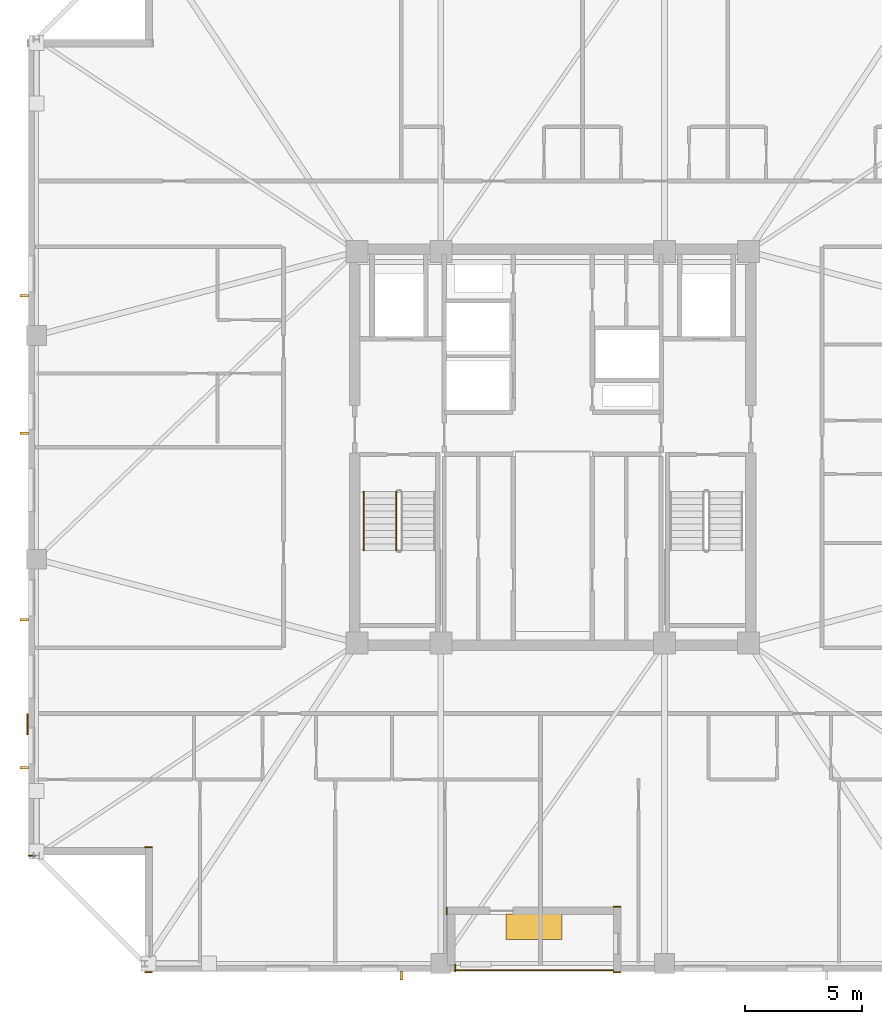
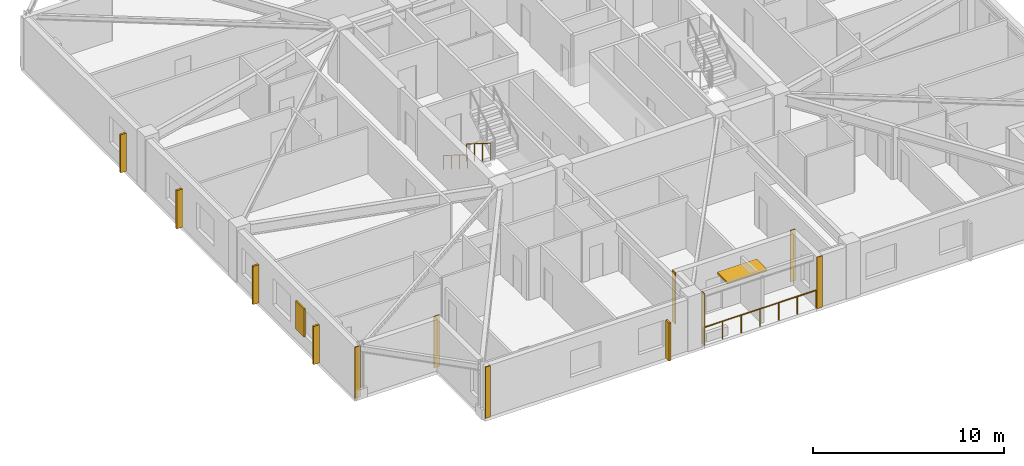
# One storey, part 13 of 17: 7 coverings, 7 shading devices, 3 railings.
"""IFC4 building model written with IfcOpenShell, lengths in metres."""

import ifcopenshell
import ifcopenshell.guid

model = None  # the IFC model being written
_history = None  # IfcOwnerHistory: only IFC2X3 demands one
_inside = {}  # id of a spatial element -> (the spatial element, [elements in it])
_under = {}  # id of a project, library or spatial element -> (it, [spatial elements below it])
_declared = {}  # id of a project -> (the project, [libraries it declares])
_typed = {}  # id of a type object -> (the type object, [elements of that type])
_made_of = {}  # id of a material, layer set ... -> (it, [elements and type objects made of it])


def new_model(schema):
    """Start an empty IFC model of exactly this schema.

    Asked for "IFC4X3", IfcOpenShell would pick the latest addendum, in which some entities
    have other attributes; the version numbers below select the first issue.
    IFC2X3 requires an IfcOwnerHistory on every rooted entity: one is made here for all.
    """
    global model, _history
    if schema == "IFC4X3":
        model = ifcopenshell.file(schema_version=(4, 3, 0, 0))
    else:
        model = ifcopenshell.file(schema=schema)
    _inside.clear()
    _under.clear()
    _declared.clear()
    _typed.clear()
    _made_of.clear()
    _history = None
    if model.schema == "IFC2X3":
        org = make("IfcOrganization", Name="unknown")
        user = make(
            "IfcPersonAndOrganization",
            ThePerson=make("IfcPerson", FamilyName="unknown"),
            TheOrganization=org,
        )
        app = make(
            "IfcApplication",
            ApplicationDeveloper=org,
            Version="unknown",
            ApplicationFullName="unknown",
            ApplicationIdentifier="unknown",
        )
        _history = make(
            "IfcOwnerHistory",
            OwningUser=user,
            OwningApplication=app,
            ChangeAction="ADDED",
            CreationDate=0,
        )
    return model


def make(cls, **values):
    """One entity of the class cls with the attributes given. An attribute that is None is left unset."""
    return model.create_entity(
        cls, **{name: value for name, value in values.items() if value is not None}
    )


def rooted(cls, **values):
    """An entity with a GlobalId (a new one), such as an element, a storey or a relation."""
    return make(cls, GlobalId=ifcopenshell.guid.new(), OwnerHistory=_history, **values)


def si_unit(unit_type, name, prefix=None):
    """IfcSIUnit, for example si_unit("LENGTHUNIT", "METRE", prefix="MILLI")."""
    return make("IfcSIUnit", UnitType=unit_type, Prefix=prefix, Name=name)


def assignment(units):
    """IfcUnitAssignment: the units of a project."""
    return None if units is None else make("IfcUnitAssignment", Units=units)


def point(xyz):
    """IfcCartesianPoint."""
    return None if xyz is None else make("IfcCartesianPoint", Coordinates=xyz)


def direction(xyz):
    """IfcDirection."""
    return None if xyz is None else make("IfcDirection", DirectionRatios=xyz)


def frame(location, z_axis=None, x_axis=None):
    """IfcAxis2Placement3D, a coordinate frame: its origin and axes. An axis left out is left unset."""
    return make(
        "IfcAxis2Placement3D",
        Location=point(location),
        Axis=direction(z_axis),
        RefDirection=direction(x_axis),
    )


def frame_2d(location, x_axis=None):
    """IfcAxis2Placement2D, a coordinate frame in the plane: its origin and x axis."""
    return make(
        "IfcAxis2Placement2D", Location=point(location), RefDirection=direction(x_axis)
    )


def origin():
    """The frame at (0, 0, 0) with its axes left unset."""
    return frame((0.0, 0.0, 0.0))


def origin_2d():
    """The frame at (0, 0) in the plane with its x axis left unset."""
    return frame_2d((0.0, 0.0))


def place(relative_to, where):
    """IfcLocalPlacement: puts the frame where relative to a parent placement (None: the world)."""
    return make(
        "IfcLocalPlacement", PlacementRelTo=relative_to, RelativePlacement=where
    )


def context(
    kind, dimensions, precision=None, world=None, true_north=None, identifier=None
):
    """IfcGeometricRepresentationContext, for example the 3D "Model" context."""
    return make(
        "IfcGeometricRepresentationContext",
        ContextIdentifier=identifier,
        ContextType=kind,
        CoordinateSpaceDimension=dimensions,
        Precision=precision,
        WorldCoordinateSystem=world,
        TrueNorth=true_north,
    )


def subcontext(parent, identifier, kind, view, scale=None):
    """IfcGeometricRepresentationSubContext, for example "Body" below "Model"."""
    return make(
        "IfcGeometricRepresentationSubContext",
        ContextIdentifier=identifier,
        ContextType=kind,
        ParentContext=parent,
        TargetScale=scale,
        TargetView=view,
    )


def project(units=None, contexts=None):
    """IfcProject with its units and contexts."""
    return rooted(
        "IfcProject",
        Name="project",
        RepresentationContexts=contexts,
        UnitsInContext=assignment(units),
    )


def spatial(cls, under=None, at=None, **own):
    """A site, building, storey or space (cls), placed at a placement, below another one or the project."""
    s = rooted(cls, ObjectPlacement=at, **own)
    if under is not None:
        _under.setdefault(under.id(), (under, []))[1].append(s)
    return s


def profile(cls, at=None, kind="AREA", **sizes):
    """A parametric profile (cls). Its sizes go by their IFC names, for example OverallWidth=200.0."""
    return make(cls, ProfileType=kind, Position=at, **sizes)


def rectangle(**sizes):
    """IfcRectangleProfileDef."""
    return profile("IfcRectangleProfileDef", **sizes)


def circle(**sizes):
    """IfcCircleProfileDef."""
    return profile("IfcCircleProfileDef", **sizes)


def extrude(swept, where, along, depth):
    """IfcExtrudedAreaSolid: the profile swept, set in the frame where, extruded along a direction by depth."""
    return make(
        "IfcExtrudedAreaSolid",
        SweptArea=swept,
        Position=where,
        ExtrudedDirection=direction(along),
        Depth=depth,
    )


def shape(context_of_items, identifier, shape_type, items):
    """IfcShapeRepresentation: the items that make up one representation, for example the "Body"."""
    return make(
        "IfcShapeRepresentation",
        ContextOfItems=context_of_items,
        RepresentationIdentifier=identifier,
        RepresentationType=shape_type,
        Items=items,
    )


def material(Name=None, Category=None):
    """IfcMaterial."""
    return make("IfcMaterial", Name=Name, Category=Category)


def layer(
    of_material, thickness, ventilated=None, Name=None, Category=None, Priority=None
):
    """IfcMaterialLayer: one layer of a wall or slab, of a material (None: an air gap)."""
    return make(
        "IfcMaterialLayer",
        Material=of_material,
        LayerThickness=thickness,
        IsVentilated=ventilated,
        Name=Name,
        Category=Category,
        Priority=Priority,
    )


def layer_set(layers, Name=None):
    """IfcMaterialLayerSet."""
    return make("IfcMaterialLayerSet", MaterialLayers=layers, LayerSetName=Name)


def made_of(thing, what):
    """Note that an element or type object is made of a material, layer set ...; save() writes the relation."""
    if what is not None:
        _made_of.setdefault(what.id(), (what, []))[1].append(thing)
    return thing


def type_object(cls, material=None, **own):
    """A type object (cls), such as IfcWallType, which elements share."""
    return made_of(rooted(cls, **own), material)


def element(
    cls,
    number,
    at=None,
    inside=None,
    cuts=None,
    type_object=None,
    material=None,
    context=None,
    identifier="Body",
    shape_type=None,
    held_by="IfcProductDefinitionShape",
    body=None,
    shapes=None,
    **own,
):
    """One element of the class cls, such as IfcWall. Its Tag is "e" and its number.

    at: its placement. inside: the storey or other place that contains it. cuts: it is an
    opening in that element (IfcRelVoidsElement). A single representation is given by context,
    identifier, shape_type and body (its items); several are given by shapes. held_by: the class
    of the entity that holds the representations. save() writes the other relations.
    """
    e = rooted(cls, Tag="e%d" % number, ObjectPlacement=at, **own)
    if body is not None:
        shapes = [shape(context, identifier, shape_type, body)]
    if shapes is not None:
        e.Representation = make(held_by, Representations=shapes)
    if inside is not None:
        _inside.setdefault(inside.id(), (inside, []))[1].append(e)
    if cuts is not None:
        rooted(
            "IfcRelVoidsElement", RelatingBuildingElement=cuts, RelatedOpeningElement=e
        )
    if type_object is not None:
        _typed.setdefault(type_object.id(), (type_object, []))[1].append(e)
    return made_of(e, material)


def aggregate(whole, parts):
    """IfcRelAggregates: a whole, such as a stair, and the parts it consists of."""
    return rooted("IfcRelAggregates", RelatingObject=whole, RelatedObjects=parts)


def save(model, path):
    """Write the relations noted so far, then the file.

    IfcRelAggregates (storeys below a building ...), IfcRelContainedInSpatialStructure (elements
    in a storey), IfcRelDefinesByType, IfcRelAssociatesMaterial and IfcRelDeclares: one each for
    every whole, place, type object, material and project.
    """
    for whole, parts in _under.values():
        aggregate(whole, parts)
    for where, things in _inside.values():
        rooted(
            "IfcRelContainedInSpatialStructure",
            RelatedElements=things,
            RelatingStructure=where,
        )
    for kind, things in _typed.values():
        rooted("IfcRelDefinesByType", RelatedObjects=things, RelatingType=kind)
    for what, things in _made_of.values():
        rooted("IfcRelAssociatesMaterial", RelatedObjects=things, RelatingMaterial=what)
    for by, libraries in _declared.values():
        rooted("IfcRelDeclares", RelatingContext=by, RelatedDefinitions=libraries)
    model.write(path)


model = new_model("IFC4")

# Units and contexts
model_context = context("Model", 3, precision=1e-05, world=origin(), true_north=direction((0.0, 1.0)))
body_context = subcontext(model_context, "Body", "Model", "MODEL_VIEW")
ifc_project = project(units=[si_unit("LENGTHUNIT", "METRE"), si_unit("AREAUNIT", "SQUARE_METRE"), si_unit("VOLUMEUNIT", "CUBIC_METRE"), si_unit("PLANEANGLEUNIT", "RADIAN"), si_unit("MASSUNIT", "GRAM", prefix="KILO")], contexts=[model_context])

# Site, building, storey
site_placement = place(None, origin())
site = spatial("IfcSite", under=ifc_project, at=site_placement, CompositionType="ELEMENT")
building_placement = place(site_placement, origin())
building = spatial("IfcBuilding", under=site, at=building_placement, Name="Cairnveth Concourse Tower", CompositionType="ELEMENT")
storey_placement = place(building_placement, frame((0.0, 0.0, 269.0)))
storey = spatial("IfcBuildingStorey", under=building, at=storey_placement, Name="L74", CompositionType="ELEMENT", Elevation=269.0)

# Coverings
ifc_material_1 = material(Name="Dressed Melbourne Bluestone Cladding", Category="masonry")
ifc_layer = layer(ifc_material_1, 0.050048828125)
ifc_layer_set = layer_set([ifc_layer], Name="Dressed Melbourne Bluestone Cladding")
covering_type = type_object("IfcCoveringType", Name="DRESSED BLUESTONE PLINTH CLADDING 50", PredefinedType="CLADDING", material=ifc_layer_set)
for number, where, z_axis, x_axis, name in (
    (1, (47.820068359375, 16.820068359375, 0.0), (0.0, 0.0, 1.0), (0.0, -1.0, 0.0), "Melbourne Bluestone Corner Quoin L74-1119"),
    (2, (34.820068359375, 16.47998046875, 0.0), (0.0, 0.0, 1.0), (-1.0, 0.0, 0.0), "Melbourne Bluestone Corner Quoin L74-1120"),
    (3, (34.820068359375, 21.840087890625, 0.0), (0.0, 0.0, 1.0), (-1.0, 0.0, 0.0), "Melbourne Bluestone Corner Quoin L74-1121"),
    (4, (29.820068359375, 21.47998046875, 0.0), (0.0, 0.0, 1.0), (-1.0, 0.0, 0.0), "Melbourne Bluestone Corner Quoin L74-1122"),
):
    element("IfcCovering", number, at=place(storey_placement, frame(where, z_axis=z_axis, x_axis=x_axis)), inside=storey, type_object=covering_type, Name=name, PredefinedType="CLADDING", context=body_context, shape_type="SweptSolid", body=[
        extrude(rectangle(XDim=0.320068359375, YDim=0.050048828125, at=frame_2d((0.16015625, 0.0))), origin(), (0.0, 0.0, 1.0), 3.2900390625),
    ])
for number, where, z_axis, x_axis, name in (
    (5, (54.919921875, 16.47998046875, 0.0), (0.0, 0.0, 1.0), (-1.0, 0.0, 0.0), "Melbourne Bluestone Corner Quoin L74-1132"),
    (6, (54.919921875, 19.2900390625, 0.0), (0.0, 0.0, 1.0), (-1.0, 0.0, 0.0), "Melbourne Bluestone Corner Quoin L74-1133"),
):
    element("IfcCovering", number, at=place(storey_placement, frame(where, z_axis=z_axis, x_axis=x_axis)), inside=storey, type_object=covering_type, Name=name, PredefinedType="CLADDING", context=body_context, shape_type="SweptSolid", body=[
        extrude(rectangle(XDim=0.31982421875, YDim=0.050048828125, at=frame_2d((0.159912109375, 0.0))), origin(), (0.0, 0.0, 1.0), 3.2900390625),
    ])
covering_placement = place(storey_placement, frame((47.4599609375, 19.27001953125, 0.0), z_axis=(0.0, 0.0, 1.0), x_axis=(0.0, -1.0, 0.0)))
element("IfcCovering", 7, at=covering_placement, inside=storey, type_object=covering_type, Name="Melbourne Bluestone Corner Quoin L74-1134", PredefinedType="CLADDING", context=body_context, shape_type="SweptSolid", body=[
    extrude(rectangle(XDim=0.320068359375, YDim=0.050048828125, at=frame_2d((0.16015625, 0.0))), origin(), (0.0, 0.0, 1.0), 3.2900390625),
])

# Shading devices
ifc_material_2 = material(Name="Architectural Bronze Anodised Aluminium 6063-T6", Category="aluminium")
shading_device_type_1 = type_object("IfcShadingDeviceType", Name="GOTHIC BRONZE VERTICAL LANCET FIN", PredefinedType="USERDEFINED", material=ifc_material_2)
for number, where, z_axis, x_axis, name in (
    (8, (45.509521484375, 16.324951171875, 0.030029296875), (0.0, 0.0, 1.0), (1.0, 0.0, 0.0), "Gothic Bronze Vertical Fin L74-0-1"),
    (9, (29.324951171875, 25.252685546875, 0.030029296875), (0.0, 0.0, 1.0), (0.0, 1.0, 0.0), "Gothic Bronze Vertical Fin L74-3-1"),
    (10, (29.324951171875, 31.60302734375, 0.030029296875), (0.0, 0.0, 1.0), (0.0, 1.0, 0.0), "Gothic Bronze Vertical Fin L74-3-3"),
    (11, (29.324951171875, 39.603515625, 0.030029296875), (0.0, 0.0, 1.0), (0.0, 1.0, 0.0), "Gothic Bronze Vertical Fin L74-3-5"),
    (12, (29.324951171875, 45.504150390625, 0.030029296875), (0.0, 0.0, 1.0), (0.0, 1.0, 0.0), "Gothic Bronze Vertical Fin L74-3-7"),
):
    element("IfcShadingDevice", number, at=place(storey_placement, frame(where, z_axis=z_axis, x_axis=x_axis)), inside=storey, type_object=shading_device_type_1, Name=name, ObjectType="VERTICAL FIN", PredefinedType="USERDEFINED", context=body_context, shape_type="SweptSolid", body=[
        extrude(rectangle(XDim=0.1201171875, YDim=0.360107421875, at=origin_2d()), origin(), (0.0, 0.0, 1.0), 2.43798828125),
    ])
shading_device_type_2 = type_object("IfcShadingDeviceType", Name="SPIRAL TERRACE SUNSHADE CANOPY", PredefinedType="USERDEFINED", material=ifc_material_2)
shading_device_1_placement = place(storey_placement, frame((51.199951171875, 18.429931640625, 2.31787109375), z_axis=(0.0, 0.0, 1.0), x_axis=(1.0, 0.0, 0.0)))
element("IfcShadingDevice", 13, at=shading_device_1_placement, inside=storey, type_object=shading_device_type_2, Name="Spiral Terrace Sunshade L74", ObjectType="TERRACE SUNSHADE", PredefinedType="USERDEFINED", context=body_context, shape_type="SweptSolid", body=[
    extrude(rectangle(XDim=2.39990234375, YDim=1.10009765625, at=origin_2d()), origin(), (0.0, 0.0, 1.0), 0.1201171875),
])

# Railings
ifc_material_3 = material(Name="Steel Grade 350", Category="steel")
railing_type_1 = type_object("IfcRailingType", Name="STAIR GUARDRAIL 1150", PredefinedType="GUARDRAIL", material=ifc_material_3)
railing_1_placement = place(storey_placement, frame((45.2900390625, 37.10009765625, 0.175048828125)))
element("IfcRailing", 14, at=railing_1_placement, inside=storey, type_object=railing_type_1, Name="L74 ST-1 stair guard 1", PredefinedType="GUARDRAIL", context=body_context, shape_type="SweptSolid", body=[
    extrude(circle(Radius=0.02392578125, at=origin_2d()), frame((0.0, 0.0, 1.1259765625), z_axis=(0.0, -0.848007534815, 0.529984170421), x_axis=(1.0, 0.0, 0.0)), (0.0, 0.0, 1.0), 2.9716796875),
    extrude(circle(Radius=0.02099609375, at=origin_2d()), origin(), (0.0, 0.0, 1.0), 1.101806640625),
    extrude(circle(Radius=0.02099609375, at=origin_2d()), frame((0.0, -0.840087890625, 0.52490234375)), (0.0, 0.0, 1.0), 1.101806640625),
    extrude(circle(Radius=0.02099609375, at=origin_2d()), frame((0.0, -1.679931640625, 1.050048828125)), (0.0, 0.0, 1.0), 1.101806640625),
    extrude(circle(Radius=0.02099609375, at=origin_2d()), frame((0.0, -2.52001953125, 1.574951171875)), (0.0, 0.0, 1.0), 1.101806640625),
])
railing_type_2 = type_object("IfcRailingType", Name="STAIR WALL HANDRAIL 900", PredefinedType="HANDRAIL", material=ifc_material_3)
railing_2_placement = place(storey_placement, frame((43.889892578125, 37.10009765625, 0.175048828125)))
element("IfcRailing", 15, at=railing_2_placement, inside=storey, type_object=railing_type_2, Name="L74 ST-1 stair handrail 1", PredefinedType="HANDRAIL", context=body_context, shape_type="SweptSolid", body=[
    extrude(circle(Radius=0.02392578125, at=origin_2d()), frame((0.0, 0.0, 0.8759765625), z_axis=(0.0, -0.848007534815, 0.529984170421), x_axis=(1.0, 0.0, 0.0)), (0.0, 0.0, 1.0), 2.9716796875),
    extrude(circle(Radius=0.02099609375, at=origin_2d()), origin(), (0.0, 0.0, 1.0), 0.851806640625),
    extrude(circle(Radius=0.02099609375, at=origin_2d()), frame((0.0, -0.840087890625, 0.52490234375)), (0.0, 0.0, 1.0), 0.851806640625),
    extrude(circle(Radius=0.02099609375, at=origin_2d()), frame((0.0, -1.679931640625, 1.050048828125)), (0.0, 0.0, 1.0), 0.851806640625),
    extrude(circle(Radius=0.02099609375, at=origin_2d()), frame((0.0, -2.52001953125, 1.574951171875)), (0.0, 0.0, 1.0), 0.851806640625),
])
railing_type_3 = type_object("IfcRailingType", Name="TERRACE BRONZE BALUSTRADE 1150", PredefinedType="BALUSTRADE", material=ifc_material_2)
railing_3_placement = place(storey_placement, frame((47.800048828125, 16.56005859375, 0.0)))
element("IfcRailing", 16, at=railing_3_placement, inside=storey, type_object=railing_type_3, Name="Terrace Balustrade RL-L74-TERR", PredefinedType="BALUSTRADE", context=body_context, shape_type="SweptSolid", body=[
    extrude(circle(Radius=0.02490234375, at=origin_2d()), frame((0.0, 0.0, 1.125), z_axis=(1.0, 0.0, 0.0), x_axis=(0.0, 1.0, 0.0)), (0.0, 0.0, 1.0), 6.800048828125),
    extrude(circle(Radius=0.02099609375, at=origin_2d()), origin(), (0.0, 0.0, 1.0), 1.099853515625),
    extrude(circle(Radius=0.02099609375, at=origin_2d()), frame((1.13330078125, 0.0, 0.0)), (0.0, 0.0, 1.0), 1.099853515625),
    extrude(circle(Radius=0.02099609375, at=origin_2d()), frame((2.2666015625, 0.0, 0.0)), (0.0, 0.0, 1.0), 1.099853515625),
    extrude(circle(Radius=0.02099609375, at=origin_2d()), frame((3.39990234375, 0.0, 0.0)), (0.0, 0.0, 1.0), 1.099853515625),
    extrude(circle(Radius=0.02099609375, at=origin_2d()), frame((4.533447265625, 0.0, 0.0)), (0.0, 0.0, 1.0), 1.099853515625),
    extrude(circle(Radius=0.02099609375, at=origin_2d()), frame((5.666748046875, 0.0, 0.0)), (0.0, 0.0, 1.0), 1.099853515625),
    extrude(circle(Radius=0.02099609375, at=origin_2d()), frame((6.800048828125, 0.0, 0.0)), (0.0, 0.0, 1.0), 1.099853515625),
])

# Shading device
shading_device_type_3 = type_object("IfcShadingDeviceType", Name="WEST SOLAR PERFORATED SHUTTER", PredefinedType="SHUTTER", material=ifc_material_2)
shading_device_2_placement = place(storey_placement, frame((29.464111328125, 27.12255859375, 0.7998046875), z_axis=(0.0, 0.0, 1.0), x_axis=(1.0, 0.0, 0.0)))
element("IfcShadingDevice", 17, at=shading_device_2_placement, inside=storey, type_object=shading_device_type_3, Name="West Solar Shutter L74", PredefinedType="SHUTTER", context=body_context, shape_type="SweptSolid", body=[
    extrude(rectangle(XDim=0.080078125, YDim=0.89990234375, at=origin_2d()), origin(), (0.0, 0.0, 1.0), 1.800048828125),
])

save(model, "model.ifc")
